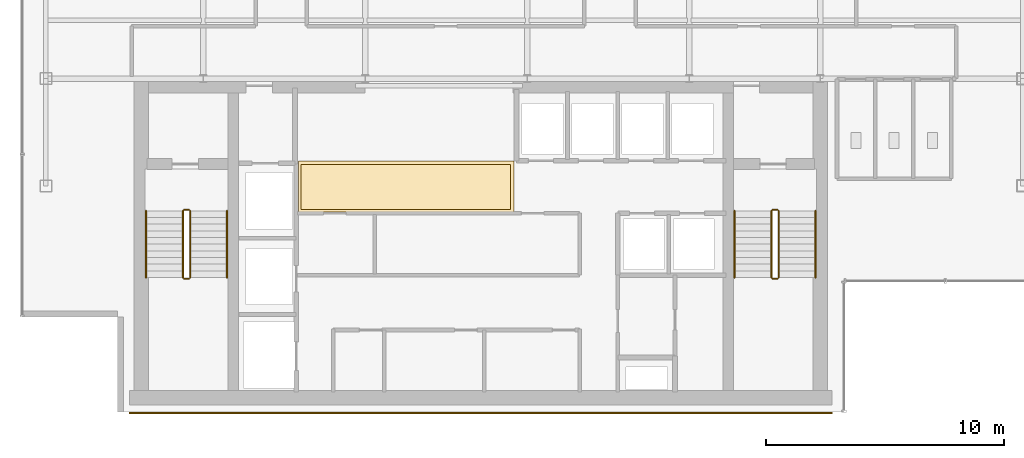
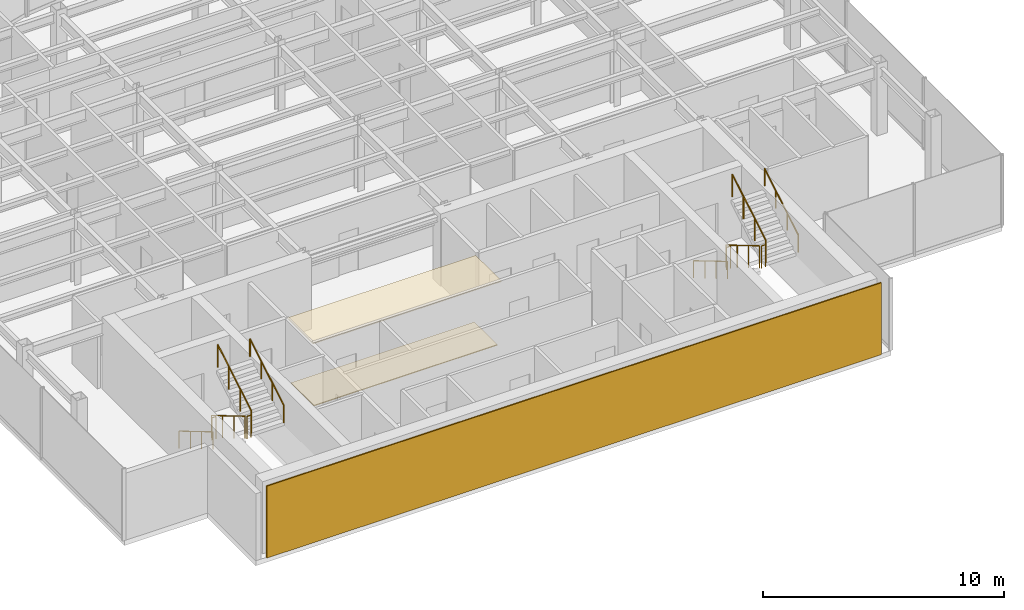
# One storey, part 20 of 22: 12 railings, 3 coverings.
"""IFC4 building model written with IfcOpenShell, lengths in metres."""

import ifcopenshell
import ifcopenshell.guid

model = None  # the IFC model being written
_history = None  # IfcOwnerHistory: only IFC2X3 demands one
_inside = {}  # id of a spatial element -> (the spatial element, [elements in it])
_under = {}  # id of a project, library or spatial element -> (it, [spatial elements below it])
_declared = {}  # id of a project -> (the project, [libraries it declares])
_typed = {}  # id of a type object -> (the type object, [elements of that type])
_made_of = {}  # id of a material, layer set ... -> (it, [elements and type objects made of it])


def new_model(schema):
    """Start an empty IFC model of exactly this schema.

    Asked for "IFC4X3", IfcOpenShell would pick the latest addendum, in which some entities
    have other attributes; the version numbers below select the first issue.
    IFC2X3 requires an IfcOwnerHistory on every rooted entity: one is made here for all.
    """
    global model, _history
    if schema == "IFC4X3":
        model = ifcopenshell.file(schema_version=(4, 3, 0, 0))
    else:
        model = ifcopenshell.file(schema=schema)
    _inside.clear()
    _under.clear()
    _declared.clear()
    _typed.clear()
    _made_of.clear()
    _history = None
    if model.schema == "IFC2X3":
        org = make("IfcOrganization", Name="unknown")
        user = make(
            "IfcPersonAndOrganization",
            ThePerson=make("IfcPerson", FamilyName="unknown"),
            TheOrganization=org,
        )
        app = make(
            "IfcApplication",
            ApplicationDeveloper=org,
            Version="unknown",
            ApplicationFullName="unknown",
            ApplicationIdentifier="unknown",
        )
        _history = make(
            "IfcOwnerHistory",
            OwningUser=user,
            OwningApplication=app,
            ChangeAction="ADDED",
            CreationDate=0,
        )
    return model


def make(cls, **values):
    """One entity of the class cls with the attributes given. An attribute that is None is left unset."""
    return model.create_entity(
        cls, **{name: value for name, value in values.items() if value is not None}
    )


def rooted(cls, **values):
    """An entity with a GlobalId (a new one), such as an element, a storey or a relation."""
    return make(cls, GlobalId=ifcopenshell.guid.new(), OwnerHistory=_history, **values)


def si_unit(unit_type, name, prefix=None):
    """IfcSIUnit, for example si_unit("LENGTHUNIT", "METRE", prefix="MILLI")."""
    return make("IfcSIUnit", UnitType=unit_type, Prefix=prefix, Name=name)


def derived_unit(unit_type, elements):
    """IfcDerivedUnit: a product of units, each with its exponent."""
    return make(
        "IfcDerivedUnit",
        Elements=[
            make("IfcDerivedUnitElement", Unit=unit, Exponent=power)
            for unit, power in elements
        ],
        UnitType=unit_type,
    )


def assignment(units):
    """IfcUnitAssignment: the units of a project."""
    return None if units is None else make("IfcUnitAssignment", Units=units)


def point(xyz):
    """IfcCartesianPoint."""
    return None if xyz is None else make("IfcCartesianPoint", Coordinates=xyz)


def direction(xyz):
    """IfcDirection."""
    return None if xyz is None else make("IfcDirection", DirectionRatios=xyz)


def frame(location, z_axis=None, x_axis=None):
    """IfcAxis2Placement3D, a coordinate frame: its origin and axes. An axis left out is left unset."""
    return make(
        "IfcAxis2Placement3D",
        Location=point(location),
        Axis=direction(z_axis),
        RefDirection=direction(x_axis),
    )


def frame_2d(location, x_axis=None):
    """IfcAxis2Placement2D, a coordinate frame in the plane: its origin and x axis."""
    return make(
        "IfcAxis2Placement2D", Location=point(location), RefDirection=direction(x_axis)
    )


def origin():
    """The frame at (0, 0, 0) with its axes left unset."""
    return frame((0.0, 0.0, 0.0))


def origin_2d():
    """The frame at (0, 0) in the plane with its x axis left unset."""
    return frame_2d((0.0, 0.0))


def place(relative_to, where):
    """IfcLocalPlacement: puts the frame where relative to a parent placement (None: the world)."""
    return make(
        "IfcLocalPlacement", PlacementRelTo=relative_to, RelativePlacement=where
    )


def context(
    kind, dimensions, precision=None, world=None, true_north=None, identifier=None
):
    """IfcGeometricRepresentationContext, for example the 3D "Model" context."""
    return make(
        "IfcGeometricRepresentationContext",
        ContextIdentifier=identifier,
        ContextType=kind,
        CoordinateSpaceDimension=dimensions,
        Precision=precision,
        WorldCoordinateSystem=world,
        TrueNorth=true_north,
    )


def subcontext(parent, identifier, kind, view, scale=None):
    """IfcGeometricRepresentationSubContext, for example "Body" below "Model"."""
    return make(
        "IfcGeometricRepresentationSubContext",
        ContextIdentifier=identifier,
        ContextType=kind,
        ParentContext=parent,
        TargetScale=scale,
        TargetView=view,
    )


def project(units=None, contexts=None):
    """IfcProject with its units and contexts."""
    return rooted(
        "IfcProject",
        Name="project",
        RepresentationContexts=contexts,
        UnitsInContext=assignment(units),
    )


def spatial(cls, under=None, at=None, **own):
    """A site, building, storey or space (cls), placed at a placement, below another one or the project."""
    s = rooted(cls, ObjectPlacement=at, **own)
    if under is not None:
        _under.setdefault(under.id(), (under, []))[1].append(s)
    return s


def polyline(points):
    """IfcPolyline through the points."""
    return make("IfcPolyline", Points=[point(p) for p in points])


def profile(cls, at=None, kind="AREA", **sizes):
    """A parametric profile (cls). Its sizes go by their IFC names, for example OverallWidth=200.0."""
    return make(cls, ProfileType=kind, Position=at, **sizes)


def rectangle(**sizes):
    """IfcRectangleProfileDef."""
    return profile("IfcRectangleProfileDef", **sizes)


def circle(**sizes):
    """IfcCircleProfileDef."""
    return profile("IfcCircleProfileDef", **sizes)


def outline(outer, holes=None, kind="AREA"):
    """IfcArbitraryClosedProfileDef: a profile drawn as a closed curve; with holes, ...WithVoids."""
    if holes is None:
        return make("IfcArbitraryClosedProfileDef", ProfileType=kind, OuterCurve=outer)
    return make(
        "IfcArbitraryProfileDefWithVoids",
        ProfileType=kind,
        OuterCurve=outer,
        InnerCurves=holes,
    )


def extrude(swept, where, along, depth):
    """IfcExtrudedAreaSolid: the profile swept, set in the frame where, extruded along a direction by depth."""
    return make(
        "IfcExtrudedAreaSolid",
        SweptArea=swept,
        Position=where,
        ExtrudedDirection=direction(along),
        Depth=depth,
    )


def shape(context_of_items, identifier, shape_type, items):
    """IfcShapeRepresentation: the items that make up one representation, for example the "Body"."""
    return make(
        "IfcShapeRepresentation",
        ContextOfItems=context_of_items,
        RepresentationIdentifier=identifier,
        RepresentationType=shape_type,
        Items=items,
    )


def source(mapping_origin, context_of_items, identifier, shape_type, items):
    """IfcRepresentationMap: a shape defined once, which mapped items show again and again."""
    return make(
        "IfcRepresentationMap",
        MappingOrigin=mapping_origin,
        MappedRepresentation=shape(context_of_items, identifier, shape_type, items),
    )


def transform(
    local_origin,
    x_axis=None,
    y_axis=None,
    z_axis=None,
    scale=None,
    scale2=None,
    scale3=None,
    uniform=True,
):
    """IfcCartesianTransformationOperator3D, or its non-uniform kind. x_axis, y_axis, z_axis: its Axis1, 2, 3."""
    if uniform:
        return make(
            "IfcCartesianTransformationOperator3D",
            Axis1=direction(x_axis),
            Axis2=direction(y_axis),
            LocalOrigin=point(local_origin),
            Scale=scale,
            Axis3=direction(z_axis),
        )
    return make(
        "IfcCartesianTransformationOperator3DnonUniform",
        Axis1=direction(x_axis),
        Axis2=direction(y_axis),
        LocalOrigin=point(local_origin),
        Scale=scale,
        Axis3=direction(z_axis),
        Scale2=scale2,
        Scale3=scale3,
    )


def mapped(mapping_source, mapping_target):
    """IfcMappedItem: shows the shape of a source again, moved by a transform."""
    return make(
        "IfcMappedItem", MappingSource=mapping_source, MappingTarget=mapping_target
    )


def material(Name=None, Category=None):
    """IfcMaterial."""
    return make("IfcMaterial", Name=Name, Category=Category)


def layer(
    of_material, thickness, ventilated=None, Name=None, Category=None, Priority=None
):
    """IfcMaterialLayer: one layer of a wall or slab, of a material (None: an air gap)."""
    return make(
        "IfcMaterialLayer",
        Material=of_material,
        LayerThickness=thickness,
        IsVentilated=ventilated,
        Name=Name,
        Category=Category,
        Priority=Priority,
    )


def layer_set(layers, Name=None):
    """IfcMaterialLayerSet."""
    return make("IfcMaterialLayerSet", MaterialLayers=layers, LayerSetName=Name)


def made_of(thing, what):
    """Note that an element or type object is made of a material, layer set ...; save() writes the relation."""
    if what is not None:
        _made_of.setdefault(what.id(), (what, []))[1].append(thing)
    return thing


def type_object(cls, material=None, **own):
    """A type object (cls), such as IfcWallType, which elements share."""
    return made_of(rooted(cls, **own), material)


def element(
    cls,
    number,
    at=None,
    inside=None,
    cuts=None,
    type_object=None,
    material=None,
    context=None,
    identifier="Body",
    shape_type=None,
    held_by="IfcProductDefinitionShape",
    body=None,
    shapes=None,
    **own,
):
    """One element of the class cls, such as IfcWall. Its Tag is "e" and its number.

    at: its placement. inside: the storey or other place that contains it. cuts: it is an
    opening in that element (IfcRelVoidsElement). A single representation is given by context,
    identifier, shape_type and body (its items); several are given by shapes. held_by: the class
    of the entity that holds the representations. save() writes the other relations.
    """
    e = rooted(cls, Tag="e%d" % number, ObjectPlacement=at, **own)
    if body is not None:
        shapes = [shape(context, identifier, shape_type, body)]
    if shapes is not None:
        e.Representation = make(held_by, Representations=shapes)
    if inside is not None:
        _inside.setdefault(inside.id(), (inside, []))[1].append(e)
    if cuts is not None:
        rooted(
            "IfcRelVoidsElement", RelatingBuildingElement=cuts, RelatedOpeningElement=e
        )
    if type_object is not None:
        _typed.setdefault(type_object.id(), (type_object, []))[1].append(e)
    return made_of(e, material)


def aggregate(whole, parts):
    """IfcRelAggregates: a whole, such as a stair, and the parts it consists of."""
    return rooted("IfcRelAggregates", RelatingObject=whole, RelatedObjects=parts)


def save(model, path):
    """Write the relations noted so far, then the file.

    IfcRelAggregates (storeys below a building ...), IfcRelContainedInSpatialStructure (elements
    in a storey), IfcRelDefinesByType, IfcRelAssociatesMaterial and IfcRelDeclares: one each for
    every whole, place, type object, material and project.
    """
    for whole, parts in _under.values():
        aggregate(whole, parts)
    for where, things in _inside.values():
        rooted(
            "IfcRelContainedInSpatialStructure",
            RelatedElements=things,
            RelatingStructure=where,
        )
    for kind, things in _typed.values():
        rooted("IfcRelDefinesByType", RelatedObjects=things, RelatingType=kind)
    for what, things in _made_of.values():
        rooted("IfcRelAssociatesMaterial", RelatedObjects=things, RelatingMaterial=what)
    for by, libraries in _declared.values():
        rooted("IfcRelDeclares", RelatingContext=by, RelatedDefinitions=libraries)
    model.write(path)


model = new_model("IFC4")

# Units and contexts
model_context = context("Model", 3, precision=1e-05, world=origin(), true_north=direction((0.0, 1.0)))
body_context = subcontext(model_context, "Body", "Model", "MODEL_VIEW")
ifc_project = project(units=[si_unit("LENGTHUNIT", "METRE"), si_unit("AREAUNIT", "SQUARE_METRE"), si_unit("VOLUMEUNIT", "CUBIC_METRE"), si_unit("PLANEANGLEUNIT", "RADIAN"), si_unit("MASSUNIT", "GRAM", prefix="KILO"), derived_unit("THERMALTRANSMITTANCEUNIT", [(si_unit("POWERUNIT", "WATT"), 1), (si_unit("LENGTHUNIT", "METRE"), -2), (si_unit("THERMODYNAMICTEMPERATUREUNIT", "KELVIN"), -1)])], contexts=[model_context])

# Site, building, storey
site_placement = place(None, origin())
site = spatial("IfcSite", under=ifc_project, at=site_placement, CompositionType="ELEMENT")
building_placement = place(site_placement, origin())
building = spatial("IfcBuilding", under=site, at=building_placement, Name="Skarnbrae Concourse Arena and Tower", CompositionType="ELEMENT")
storey_placement = place(building_placement, frame((0.0, 0.0, 255.14990234375)))
storey = spatial("IfcBuildingStorey", under=building, at=storey_placement, Name="L66", CompositionType="ELEMENT", Elevation=255.14990234375)

# Coverings
ifc_material_1 = material(Name="Mineral fibre acoustic ceiling tile", Category="other")
ifc_layer_1 = layer(ifc_material_1, 0.0400390625)
ifc_layer_set_1 = layer_set([ifc_layer_1], Name="Mineral fibre acoustic ceiling tile")
covering_type_1 = type_object("IfcCoveringType", Name="COV-CEIL-ACOUSTIC", PredefinedType="CEILING", material=ifc_layer_set_1)
covering_1_placement = place(storey_placement, frame((0.0, 0.0, 3.239990234375)))
element("IfcCovering", 1, at=covering_1_placement, inside=storey, type_object=covering_type_1, Name="L66 Lift lobby acoustic ceiling", PredefinedType="CEILING", context=body_context, shape_type="SweptSolid", body=[
    extrude(outline(polyline([(11.60009765625, 8.39990234375), (20.64990234375, 8.39990234375), (20.64990234375, 10.550048828125), (11.60009765625, 10.550048828125), (11.60009765625, 8.39990234375)])), origin(), (0.0, 0.0, 1.0), 0.0400390625),
])
ifc_material_2 = material(Name="Polished granite terrazzo flooring", Category="masonry")
ifc_layer_2 = layer(ifc_material_2, 0.0400390625)
ifc_layer_set_2 = layer_set([ifc_layer_2], Name="Polished granite terrazzo flooring")
covering_type_2 = type_object("IfcCoveringType", Name="COV-FLOOR-TERRAZZO", PredefinedType="FLOORING", material=ifc_layer_set_2)
covering_2_placement = place(storey_placement, origin())
element("IfcCovering", 2, at=covering_2_placement, inside=storey, type_object=covering_type_2, Name="L66 Lift lobby terrazzo flooring", PredefinedType="FLOORING", context=body_context, shape_type="SweptSolid", body=[
    extrude(outline(polyline([(11.699951171875, 8.5), (20.5, 8.5), (20.5, 10.39990234375), (11.699951171875, 10.39990234375), (11.699951171875, 8.5)])), origin(), (0.0, 0.0, 1.0), 0.0400390625),
])

# Railings
ifc_material_3 = material(Name="Steel CSA G40.21 350W", Category="steel")
railing_type_1 = type_object("IfcRailingType", Name="RAIL-HANDRAIL-900", PredefinedType="HANDRAIL", material=ifc_material_3)
railing_1_placement = place(storey_placement, frame((5.199951171875, 8.449951171875, 0.166015625)))
element("IfcRailing", 3, at=railing_1_placement, inside=storey, type_object=railing_type_1, Name="L66 ST-1 stair handrail 1", PredefinedType="HANDRAIL", context=body_context, shape_type="SweptSolid", body=[
    extrude(circle(Radius=0.02392578125, at=origin_2d()), frame((0.0, 0.0, 0.8759765625), z_axis=(0.0, -0.860306154799, 0.50977771628), x_axis=(1.0, 0.0, 0.0)), (0.0, 0.0, 1.0), 3.254638671875),
    extrude(circle(Radius=0.02099609375, at=origin_2d()), origin(), (0.0, 0.0, 1.0), 0.851806640625),
    extrude(circle(Radius=0.02099609375, at=origin_2d()), frame((0.0, -0.933349609375, 0.552978515625)), (0.0, 0.0, 1.0), 0.851806640625),
    extrude(circle(Radius=0.02099609375, at=origin_2d()), frame((0.0, -1.86669921875, 1.106201171875)), (0.0, 0.0, 1.0), 0.851806640625),
    extrude(circle(Radius=0.02099609375, at=origin_2d()), frame((0.0, -2.800048828125, 1.6591796875)), (0.0, 0.0, 1.0), 0.851806640625),
])
railing_2_placement = place(storey_placement, frame((8.60009765625, 5.64990234375, 1.990966796875)))
element("IfcRailing", 4, at=railing_2_placement, inside=storey, type_object=railing_type_1, Name="L66 ST-1 stair handrail 2", PredefinedType="HANDRAIL", context=body_context, shape_type="SweptSolid", body=[
    extrude(circle(Radius=0.02392578125, at=origin_2d()), frame((0.0, 0.0, 0.8759765625), z_axis=(0.0, 0.860306154799, 0.50977771628), x_axis=(-1.0, 0.0, 0.0)), (0.0, 0.0, 1.0), 3.254638671875),
    extrude(circle(Radius=0.02099609375, at=origin_2d()), origin(), (0.0, 0.0, 1.0), 0.851806640625),
    extrude(circle(Radius=0.02099609375, at=origin_2d()), frame((0.0, 0.933349609375, 0.552978515625)), (0.0, 0.0, 1.0), 0.851806640625),
    extrude(circle(Radius=0.02099609375, at=origin_2d()), frame((0.0, 1.86669921875, 1.106201171875)), (0.0, 0.0, 1.0), 0.851806640625),
    extrude(circle(Radius=0.02099609375, at=origin_2d()), frame((0.0, 2.800048828125, 1.6591796875)), (0.0, 0.0, 1.0), 0.851806640625),
])
railing_3_placement = place(storey_placement, frame((29.89990234375, 8.449951171875, 0.166015625)))
element("IfcRailing", 5, at=railing_3_placement, inside=storey, type_object=railing_type_1, Name="L66 ST-2 stair handrail 1", PredefinedType="HANDRAIL", context=body_context, shape_type="SweptSolid", body=[
    extrude(circle(Radius=0.02392578125, at=origin_2d()), frame((0.0, 0.0, 0.8759765625), z_axis=(0.0, -0.860306154799, 0.50977771628), x_axis=(1.0, 0.0, 0.0)), (0.0, 0.0, 1.0), 3.254638671875),
    extrude(circle(Radius=0.02099609375, at=origin_2d()), origin(), (0.0, 0.0, 1.0), 0.851806640625),
    extrude(circle(Radius=0.02099609375, at=origin_2d()), frame((0.0, -0.933349609375, 0.552978515625)), (0.0, 0.0, 1.0), 0.851806640625),
    extrude(circle(Radius=0.02099609375, at=origin_2d()), frame((0.0, -1.86669921875, 1.106201171875)), (0.0, 0.0, 1.0), 0.851806640625),
    extrude(circle(Radius=0.02099609375, at=origin_2d()), frame((0.0, -2.800048828125, 1.6591796875)), (0.0, 0.0, 1.0), 0.851806640625),
])
railing_4_placement = place(storey_placement, frame((33.300048828125, 5.64990234375, 1.990966796875)))
element("IfcRailing", 6, at=railing_4_placement, inside=storey, type_object=railing_type_1, Name="L66 ST-2 stair handrail 2", PredefinedType="HANDRAIL", context=body_context, shape_type="SweptSolid", body=[
    extrude(circle(Radius=0.02392578125, at=origin_2d()), frame((0.0, 0.0, 0.8759765625), z_axis=(0.0, 0.860306154799, 0.50977771628), x_axis=(-1.0, 0.0, 0.0)), (0.0, 0.0, 1.0), 3.254638671875),
    extrude(circle(Radius=0.02099609375, at=origin_2d()), origin(), (0.0, 0.0, 1.0), 0.851806640625),
    extrude(circle(Radius=0.02099609375, at=origin_2d()), frame((0.0, 0.933349609375, 0.552978515625)), (0.0, 0.0, 1.0), 0.851806640625),
    extrude(circle(Radius=0.02099609375, at=origin_2d()), frame((0.0, 1.86669921875, 1.106201171875)), (0.0, 0.0, 1.0), 0.851806640625),
    extrude(circle(Radius=0.02099609375, at=origin_2d()), frame((0.0, 2.800048828125, 1.6591796875)), (0.0, 0.0, 1.0), 0.851806640625),
])
railing_type_2 = type_object("IfcRailingType", Name="RAIL-STAIR-GUARD-1150", PredefinedType="GUARDRAIL", material=ifc_material_3)
railing_5_placement = place(storey_placement, frame((6.75, 8.449951171875, 0.166015625)))
element("IfcRailing", 7, at=railing_5_placement, inside=storey, type_object=railing_type_2, Name="L66 ST-1 stair guard 1", PredefinedType="GUARDRAIL", context=body_context, shape_type="SweptSolid", body=[
    extrude(circle(Radius=0.02392578125, at=origin_2d()), frame((0.0, 0.0, 1.1259765625), z_axis=(0.0, -0.860306154799, 0.50977771628), x_axis=(1.0, 0.0, 0.0)), (0.0, 0.0, 1.0), 3.254638671875),
    extrude(circle(Radius=0.02099609375, at=origin_2d()), origin(), (0.0, 0.0, 1.0), 1.101806640625),
    extrude(circle(Radius=0.02099609375, at=origin_2d()), frame((0.0, -0.933349609375, 0.552978515625)), (0.0, 0.0, 1.0), 1.101806640625),
    extrude(circle(Radius=0.02099609375, at=origin_2d()), frame((0.0, -1.86669921875, 1.106201171875)), (0.0, 0.0, 1.0), 1.101806640625),
    extrude(circle(Radius=0.02099609375, at=origin_2d()), frame((0.0, -2.800048828125, 1.6591796875)), (0.0, 0.0, 1.0), 1.101806640625),
])
railing_6_placement = place(storey_placement, frame((6.800048828125, 5.60009765625, 1.8251953125)))
element("IfcRailing", 8, at=railing_6_placement, inside=storey, type_object=railing_type_2, Name="L66 ST-1 stair guard 2", PredefinedType="GUARDRAIL", context=body_context, shape_type="SweptSolid", body=[
    extrude(circle(Radius=0.02392578125, at=origin_2d()), frame((0.0, 0.0, 1.1259765625), z_axis=(1.0, 0.0, 0.0), x_axis=(0.0, 1.0, 0.0)), (0.0, 0.0, 1.0), 0.199951171875),
    extrude(circle(Radius=0.02099609375, at=origin_2d()), origin(), (0.0, 0.0, 1.0), 1.101806640625),
    extrude(circle(Radius=0.02099609375, at=origin_2d()), frame((0.199951171875, 0.0, 0.0)), (0.0, 0.0, 1.0), 1.101806640625),
])
railing_7_placement = place(storey_placement, frame((7.050048828125, 5.64990234375, 1.990966796875)))
element("IfcRailing", 9, at=railing_7_placement, inside=storey, type_object=railing_type_2, Name="L66 ST-1 stair guard 3", PredefinedType="GUARDRAIL", context=body_context, shape_type="SweptSolid", body=[
    extrude(circle(Radius=0.02392578125, at=origin_2d()), frame((0.0, 0.0, 1.1259765625), z_axis=(0.0, 0.860306154799, 0.50977771628), x_axis=(-1.0, 0.0, 0.0)), (0.0, 0.0, 1.0), 3.254638671875),
    extrude(circle(Radius=0.02099609375, at=origin_2d()), origin(), (0.0, 0.0, 1.0), 1.101806640625),
    extrude(circle(Radius=0.02099609375, at=origin_2d()), frame((0.0, 0.933349609375, 0.552978515625)), (0.0, 0.0, 1.0), 1.101806640625),
    extrude(circle(Radius=0.02099609375, at=origin_2d()), frame((0.0, 1.86669921875, 1.106201171875)), (0.0, 0.0, 1.0), 1.101806640625),
    extrude(circle(Radius=0.02099609375, at=origin_2d()), frame((0.0, 2.800048828125, 1.6591796875)), (0.0, 0.0, 1.0), 1.101806640625),
])
railing_8_placement = place(storey_placement, frame((6.800048828125, 8.5, 0.0)))
element("IfcRailing", 10, at=railing_8_placement, inside=storey, type_object=railing_type_2, Name="L66 ST-1 stair guard 4", PredefinedType="GUARDRAIL", context=body_context, shape_type="SweptSolid", body=[
    extrude(circle(Radius=0.02392578125, at=origin_2d()), frame((0.0, 0.0, 1.1259765625), z_axis=(1.0, 0.0, 0.0), x_axis=(0.0, 1.0, 0.0)), (0.0, 0.0, 1.0), 0.199951171875),
    extrude(circle(Radius=0.02099609375, at=origin_2d()), origin(), (0.0, 0.0, 1.0), 1.101806640625),
    extrude(circle(Radius=0.02099609375, at=origin_2d()), frame((0.199951171875, 0.0, 0.0)), (0.0, 0.0, 1.0), 1.101806640625),
])
railing_9_placement = place(storey_placement, frame((31.449951171875, 8.449951171875, 0.166015625)))
element("IfcRailing", 11, at=railing_9_placement, inside=storey, type_object=railing_type_2, Name="L66 ST-2 stair guard 1", PredefinedType="GUARDRAIL", context=body_context, shape_type="SweptSolid", body=[
    extrude(circle(Radius=0.02392578125, at=origin_2d()), frame((0.0, 0.0, 1.1259765625), z_axis=(0.0, -0.860306154799, 0.50977771628), x_axis=(1.0, 0.0, 0.0)), (0.0, 0.0, 1.0), 3.254638671875),
    extrude(circle(Radius=0.02099609375, at=origin_2d()), origin(), (0.0, 0.0, 1.0), 1.101806640625),
    extrude(circle(Radius=0.02099609375, at=origin_2d()), frame((0.0, -0.933349609375, 0.552978515625)), (0.0, 0.0, 1.0), 1.101806640625),
    extrude(circle(Radius=0.02099609375, at=origin_2d()), frame((0.0, -1.86669921875, 1.106201171875)), (0.0, 0.0, 1.0), 1.101806640625),
    extrude(circle(Radius=0.02099609375, at=origin_2d()), frame((0.0, -2.800048828125, 1.6591796875)), (0.0, 0.0, 1.0), 1.101806640625),
])
railing_10_placement = place(storey_placement, frame((31.5, 5.60009765625, 1.8251953125)))
element("IfcRailing", 12, at=railing_10_placement, inside=storey, type_object=railing_type_2, Name="L66 ST-2 stair guard 2", PredefinedType="GUARDRAIL", context=body_context, shape_type="SweptSolid", body=[
    extrude(circle(Radius=0.02392578125, at=origin_2d()), frame((0.0, 0.0, 1.1259765625), z_axis=(1.0, 0.0, 0.0), x_axis=(0.0, 1.0, 0.0)), (0.0, 0.0, 1.0), 0.199951171875),
    extrude(circle(Radius=0.02099609375, at=origin_2d()), origin(), (0.0, 0.0, 1.0), 1.101806640625),
    extrude(circle(Radius=0.02099609375, at=origin_2d()), frame((0.199951171875, 0.0, 0.0)), (0.0, 0.0, 1.0), 1.101806640625),
])
railing_11_placement = place(storey_placement, frame((31.75, 5.64990234375, 1.990966796875)))
element("IfcRailing", 13, at=railing_11_placement, inside=storey, type_object=railing_type_2, Name="L66 ST-2 stair guard 3", PredefinedType="GUARDRAIL", context=body_context, shape_type="SweptSolid", body=[
    extrude(circle(Radius=0.02392578125, at=origin_2d()), frame((0.0, 0.0, 1.1259765625), z_axis=(0.0, 0.860306154799, 0.50977771628), x_axis=(-1.0, 0.0, 0.0)), (0.0, 0.0, 1.0), 3.254638671875),
    extrude(circle(Radius=0.02099609375, at=origin_2d()), origin(), (0.0, 0.0, 1.0), 1.101806640625),
    extrude(circle(Radius=0.02099609375, at=origin_2d()), frame((0.0, 0.933349609375, 0.552978515625)), (0.0, 0.0, 1.0), 1.101806640625),
    extrude(circle(Radius=0.02099609375, at=origin_2d()), frame((0.0, 1.86669921875, 1.106201171875)), (0.0, 0.0, 1.0), 1.101806640625),
    extrude(circle(Radius=0.02099609375, at=origin_2d()), frame((0.0, 2.800048828125, 1.6591796875)), (0.0, 0.0, 1.0), 1.101806640625),
])
railing_12_placement = place(storey_placement, frame((31.5, 8.5, 0.0)))
element("IfcRailing", 14, at=railing_12_placement, inside=storey, type_object=railing_type_2, Name="L66 ST-2 stair guard 4", PredefinedType="GUARDRAIL", context=body_context, shape_type="SweptSolid", body=[
    extrude(circle(Radius=0.02392578125, at=origin_2d()), frame((0.0, 0.0, 1.1259765625), z_axis=(1.0, 0.0, 0.0), x_axis=(0.0, 1.0, 0.0)), (0.0, 0.0, 1.0), 0.199951171875),
    extrude(circle(Radius=0.02099609375, at=origin_2d()), origin(), (0.0, 0.0, 1.0), 1.101806640625),
    extrude(circle(Radius=0.02099609375, at=origin_2d()), frame((0.199951171875, 0.0, 0.0)), (0.0, 0.0, 1.0), 1.101806640625),
])

# Covering
ifc_material_4 = material(Name="Bronze anodised aluminium 6063-T6", Category="aluminium")
ifc_layer_3 = layer(ifc_material_4, 0.06005859375)
ifc_layer_set_3 = layer_set([ifc_layer_3], Name="Bronze anodised aluminium 6063-T6")
covering_type_3 = type_object("IfcCoveringType", Name="COV-CLAD-BRONZE-60", PredefinedType="CLADDING", material=ifc_layer_set_3)
shared_shape = source(origin(), body_context, "Body", "SweptSolid", [
    extrude(rectangle(XDim=29.5, YDim=0.06005859375, at=origin_2d()), origin(), (0.0, 0.0, 1.0), 3.64990234375),
])
covering_3_placement = place(storey_placement, frame((19.25, -0.030029296875, 0.000244140625), z_axis=(0.0, 0.0, 1.0), x_axis=(1.0, 0.0, 0.0)))
element("IfcCovering", 15, at=covering_3_placement, inside=storey, type_object=covering_type_3, Name="L66 Rear-core plumb spine bronze rainscreen panel", PredefinedType="CLADDING", context=body_context, shape_type="MappedRepresentation", body=[
    mapped(shared_shape, transform((0.0, 0.0, 0.0))),
])

save(model, "model.ifc")
